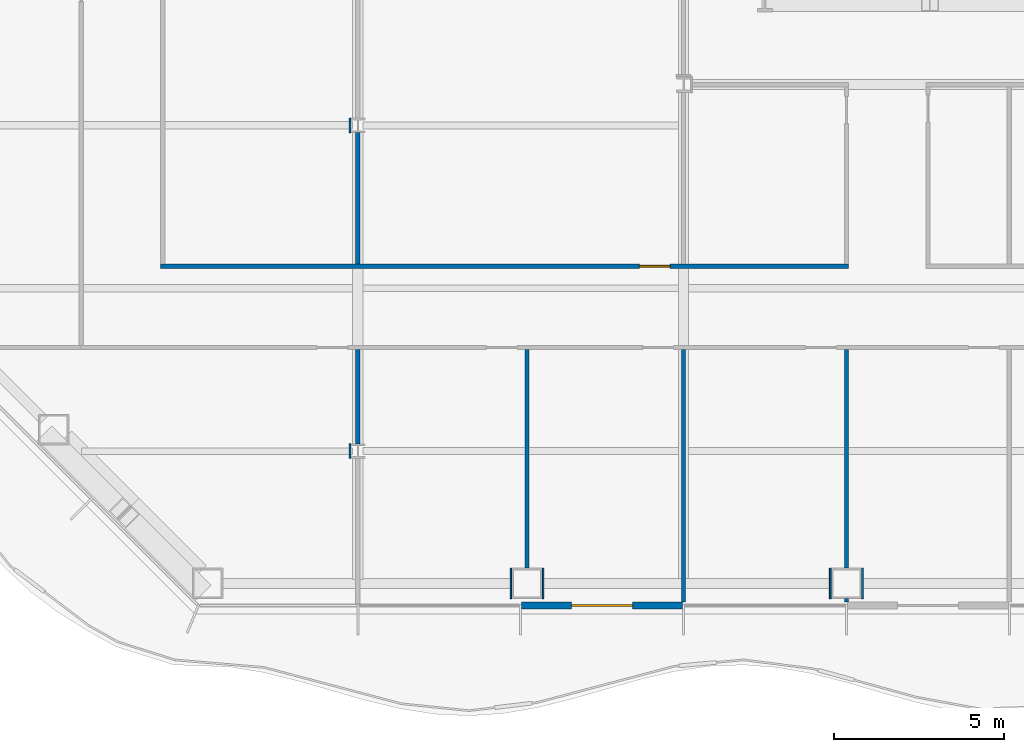
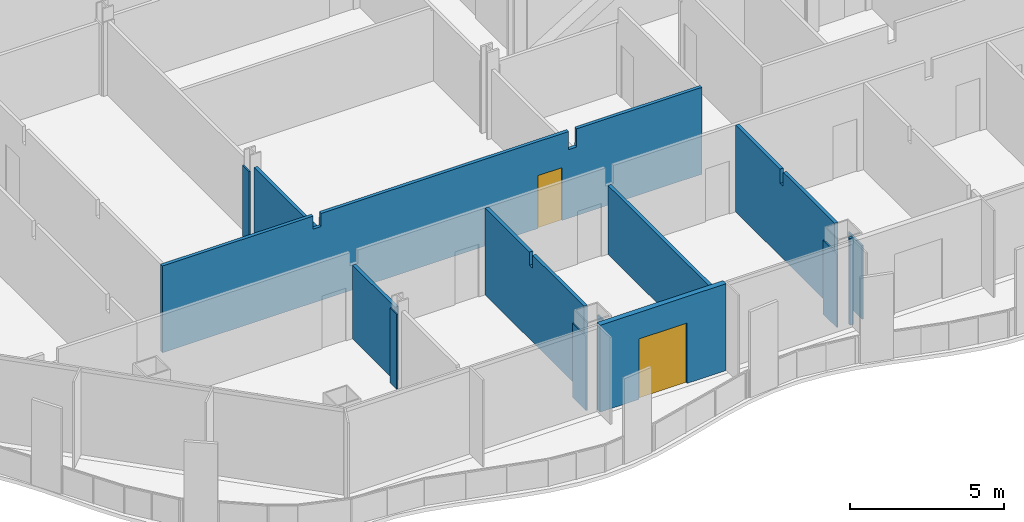
# One storey, part 6 of 18: 14 walls, 2 doors, 2 openings.
"""IFC4 building model written with IfcOpenShell, lengths in metres."""

from ifc_helpers import new_model, si_unit, direction, frame, frame_2d, origin, place, context, subcontext, project, spatial, polyline, rectangle, outline, extrude, material, layer, layer_set, type_object, element, fill, save


model = new_model("IFC4")

# Units and contexts
model_context = context("Model", 3, precision=1e-05, world=origin(), true_north=direction((0.0, 1.0)))
body_context = subcontext(model_context, "Body", "Model", "MODEL_VIEW")
ifc_project = project(units=[si_unit("LENGTHUNIT", "METRE"), si_unit("AREAUNIT", "SQUARE_METRE"), si_unit("VOLUMEUNIT", "CUBIC_METRE"), si_unit("PLANEANGLEUNIT", "RADIAN"), si_unit("MASSUNIT", "GRAM", prefix="KILO")], contexts=[model_context])

# Site, building, storey
site_placement = place(None, origin())
site = spatial("IfcSite", under=ifc_project, at=site_placement, CompositionType="ELEMENT")
building_placement = place(site_placement, origin())
building = spatial("IfcBuilding", under=site, at=building_placement, Name="Cairn Pilgrim Tower", CompositionType="ELEMENT")
storey_placement = place(building_placement, frame((0.0, 0.0, 65.39990234375)))
storey = spatial("IfcBuildingStorey", under=building, at=storey_placement, Name="L14", CompositionType="ELEMENT", Elevation=65.39990234375)

# Wall, opening, door
ifc_material_1 = material(Name="Bronze anodised aluminium insulated sandwich panel with mineral wool fill", Category="aluminium")
ifc_layer_1 = layer(ifc_material_1, 0.199951171875)
ifc_layer_set_1 = layer_set([ifc_layer_1], Name="BRONZE INFILL FRAME WALL 200")
wall_type_1 = type_object("IfcWallType", Name="BRONZE INFILL FRAME WALL 200", PredefinedType="NOTDEFINED", material=ifc_layer_set_1)
wall_1_placement = place(storey_placement, frame((-9.570068359375, -23.75, 0.0), z_axis=(0.0, 0.0, 1.0), x_axis=(1.0, 0.0, 0.0)))
wall_1 = element("IfcWall", 1, at=wall_1_placement, inside=storey, type_object=wall_type_1, Name="Bronze infill frame wall IW-S3", PredefinedType="NOTDEFINED", context=body_context, shape_type="SweptSolid", body=[
    extrude(rectangle(XDim=4.739990234375, YDim=0.199951171875, at=frame_2d((2.3701171875, 0.0))), origin(), (0.0, 0.0, 1.0), 3.4501953125),
])
opening_1_placement = place(wall_1_placement, frame((1.469970703125, 0.0, 0.0)))
opening_1 = element("IfcOpeningElement", 2, at=opening_1_placement, cuts=wall_1, Name="Opening 1403B", PredefinedType="OPENING", context=body_context, shape_type="SweptSolid", body=[
    extrude(rectangle(XDim=1.800048828125, YDim=2.39990234375, at=frame_2d((0.89990234375, 1.199951171875))), frame((0.0, 0.10986328125, 0.0), z_axis=(0.0, -1.0, 0.0), x_axis=(1.0, 0.0, 0.0)), (0.0, 0.0, 1.0), 0.219970703125),
])
ifc_material_2 = material(Name="Bronze anodised aluminium frame with tinted low-E glass", Category="aluminium")
door_type_1 = type_object("IfcDoorType", Name="BALCONY SLIDING DOOR 1800x2400", OperationType="DOUBLE_DOOR_SLIDING", PredefinedType="DOOR", material=ifc_material_2)
door_1_placement = place(opening_1_placement, origin())
door_1 = element("IfcDoor", 3, at=door_1_placement, inside=storey, type_object=door_type_1, Name="Balcony sliding door 1403B", OperationType="SINGLE_SWING_LEFT", OverallHeight=2.39990234375, OverallWidth=1.800048828125, PredefinedType="DOOR", context=body_context, shape_type="SweptSolid", body=[
    extrude(rectangle(XDim=1.800048828125, YDim=2.39990234375, at=frame_2d((0.89990234375, 1.199951171875))), frame((0.0, 0.02490234375, 0.0), z_axis=(0.0, -1.0, 0.0), x_axis=(1.0, 0.0, 0.0)), (0.0, 0.0, 1.0), 0.050048828125),
])
fill(opening_1, door_1)

# Walls
ifc_material_3 = material(Name="Gypsum partition")
ifc_layer_2 = layer(ifc_material_3, 0.125)
ifc_layer_set_2 = layer_set([ifc_layer_2], Name="PARTITION 125 DRYWALL EI 60")
wall_type_2 = type_object("IfcWallType", Name="PARTITION 125 DRYWALL EI 60", PredefinedType="PARTITIONING", material=ifc_layer_set_2)
wall_2_placement = place(storey_placement, frame((-4.800048828125, -23.64990234375, 0.0), z_axis=(0.0, 0.0, 1.0), x_axis=(0.0, 1.0, 0.0)))
element("IfcWall", 4, at=wall_2_placement, inside=storey, type_object=wall_type_2, Name="PARTITION W002", PredefinedType="PARTITIONING", context=body_context, shape_type="SweptSolid", body=[
    extrude(rectangle(XDim=7.4375, YDim=0.125, at=frame_2d((3.71875, 0.0))), origin(), (0.0, 0.0, 1.0), 2.72998046875),
])
wall_3_placement = place(storey_placement, frame((0.0, -23.64990234375, 0.0), z_axis=(0.0, 0.0, 1.0), x_axis=(0.0, 1.0, 0.0)))
element("IfcWall", 5, at=wall_3_placement, inside=storey, type_object=wall_type_2, Name="PARTITION W003", PredefinedType="PARTITIONING", context=body_context, shape_type="SweptSolid", body=[
    extrude(rectangle(XDim=0.099853515625, YDim=0.125, at=frame_2d((0.0498046875, 0.0))), origin(), (0.0, 0.0, 1.0), 3.4501953125),
])
wall_4_placement = place(storey_placement, frame((0.0, -22.64990234375, 0.0), z_axis=(0.0, 0.0, 1.0), x_axis=(0.0, 1.0, 0.0)))
element("IfcWall", 6, at=wall_4_placement, inside=storey, type_object=wall_type_2, Name="PARTITION W007", PredefinedType="PARTITIONING", context=body_context, shape_type="SweptSolid", body=[
    extrude(outline(polyline([(0.0, 0.0), (6.4375, 0.0), (6.4375, 3.4501953125), (3.554931640625, 3.4501953125), (3.552978515625, 2.880126953125), (3.344970703125, 2.880126953125), (3.343017578125, 3.4501953125), (0.0, 3.4501953125), (0.0, 0.0)])), frame((0.0, 0.0625, 0.0), z_axis=(0.0, -1.0, 0.0), x_axis=(1.0, 0.0, 0.0)), (0.0, 0.0, 1.0), 0.125),
])
wall_5_placement = place(storey_placement, frame((-9.4140625, -22.64990234375, 0.0), z_axis=(0.0, 0.0, 1.0), x_axis=(0.0, 1.0, 0.0)))
element("IfcWall", 7, at=wall_5_placement, inside=storey, type_object=wall_type_2, Name="PARTITION W008", PredefinedType="PARTITIONING", context=body_context, shape_type="SweptSolid", body=[
    extrude(outline(polyline([(0.0, 0.0), (6.4375, 0.0), (6.4375, 3.4501953125), (3.550048828125, 3.4501953125), (3.548095703125, 2.93017578125), (3.35009765625, 2.93017578125), (3.347900390625, 3.4501953125), (0.0, 3.4501953125), (0.0, 0.0)])), frame((0.0, 0.0625, 0.0), z_axis=(0.0, -1.0, 0.0), x_axis=(1.0, 0.0, 0.0)), (0.0, 0.0, 1.0), 0.125),
])
wall_6_placement = place(storey_placement, frame((-14.39990234375, -18.987548828125, 0.0), z_axis=(0.0, 0.0, 1.0), x_axis=(0.0, 1.0, 0.0)))
element("IfcWall", 8, at=wall_6_placement, inside=storey, type_object=wall_type_2, Name="PARTITION W011", PredefinedType="PARTITIONING", context=body_context, shape_type="SweptSolid", body=[
    extrude(rectangle(XDim=2.775146484375, YDim=0.125, at=frame_2d((1.3876953125, 0.0))), origin(), (0.0, 0.0, 1.0), 2.93017578125),
])

# Wall, opening, door
wall_7_placement = place(storey_placement, frame((-20.21240234375, -13.75, 0.0), z_axis=(0.0, 0.0, 1.0), x_axis=(1.0, 0.0, 0.0)))
wall_7 = element("IfcWall", 9, at=wall_7_placement, inside=storey, type_object=wall_type_2, Name="PARTITION W016", PredefinedType="PARTITIONING", context=body_context, shape_type="SweptSolid", body=[
    extrude(outline(polyline([(0.0, 0.0), (20.27490234375, 0.0), (20.27490234375, 3.4501953125), (15.5625, 3.4501953125), (15.560546875, 2.72998046875), (15.262451171875, 2.72998046875), (15.260498046875, 3.4501953125), (5.96240234375, 3.4501953125), (5.96044921875, 2.93017578125), (5.66259765625, 2.93017578125), (5.660400390625, 3.4501953125), (0.0, 3.4501953125), (0.0, 0.0)])), frame((0.0, 0.0625, 0.0), z_axis=(0.0, -1.0, 0.0), x_axis=(1.0, 0.0, 0.0)), (0.0, 0.0, 1.0), 0.125),
])
opening_2_placement = place(wall_7_placement, frame((14.112548828125, 0.0, 0.0)))
opening_2 = element("IfcOpeningElement", 10, at=opening_2_placement, cuts=wall_7, Name="Opening 1429", PredefinedType="OPENING", context=body_context, shape_type="SweptSolid", body=[
    extrude(rectangle(XDim=0.89990234375, YDim=2.10009765625, at=frame_2d((0.449951171875, 1.050048828125))), frame((0.0, 0.072509765625, 0.0), z_axis=(0.0, -1.0, 0.0), x_axis=(1.0, 0.0, 0.0)), (0.0, 0.0, 1.0), 0.14501953125),
])
ifc_material_4 = material(Name="Steel-faced fire door leaf", Category="steel")
door_type_2 = type_object("IfcDoorType", Name="FIRE DOOR 900x2100 FD30S", OperationType="NOTDEFINED", PredefinedType="DOOR", material=ifc_material_4)
door_2_placement = place(opening_2_placement, origin())
door_2 = element("IfcDoor", 11, at=door_2_placement, inside=storey, type_object=door_type_2, Name="DOOR 1429", OperationType="SINGLE_SWING_RIGHT", OverallHeight=2.10009765625, OverallWidth=0.89990234375, PredefinedType="DOOR", context=body_context, shape_type="SweptSolid", body=[
    extrude(rectangle(XDim=0.89990234375, YDim=2.10009765625, at=frame_2d((0.449951171875, 1.050048828125))), frame((0.0, 0.02490234375, 0.0), z_axis=(0.0, -1.0, 0.0), x_axis=(1.0, 0.0, 0.0)), (0.0, 0.0, 1.0), 0.050048828125),
])
fill(opening_2, door_2)

# Walls
wall_8_placement = place(storey_placement, frame((-14.39990234375, -13.6875, 0.0), z_axis=(0.0, 0.0, 1.0), x_axis=(0.0, 1.0, 0.0)))
element("IfcWall", 12, at=wall_8_placement, inside=storey, type_object=wall_type_2, Name="PARTITION W019", PredefinedType="PARTITIONING", context=body_context, shape_type="SweptSolid", body=[
    extrude(rectangle(XDim=3.875, YDim=0.125, at=frame_2d((1.9375, 0.0))), origin(), (0.0, 0.0, 1.0), 2.93017578125),
])
ifc_layer_3 = layer(ifc_material_3, 0.050048828125)
ifc_layer_set_3 = layer_set([ifc_layer_3], Name="PARTITION 50 DRYWALL EI 60")
wall_type_3 = type_object("IfcWallType", Name="PARTITION 50 DRYWALL EI 60", PredefinedType="PARTITIONING", material=ifc_layer_set_3)
wall_9_placement = place(storey_placement, frame((-14.62939453125, -19.41259765625, 0.0), z_axis=(0.0, 0.0, 1.0), x_axis=(0.0, 1.0, 0.0)))
element("IfcWall", 13, at=wall_9_placement, inside=storey, type_object=wall_type_3, Name="COLUMN CASING WC01", PredefinedType="PARTITIONING", context=body_context, shape_type="SweptSolid", body=[
    extrude(rectangle(XDim=0.425048828125, YDim=0.050048828125, at=frame_2d((0.21240234375, 0.0))), origin(), (0.0, 0.0, 1.0), 2.97998046875),
])
for number, where, z_axis, x_axis, name in (
    (14, (-0.47509765625, -23.550048828125, 0.0), (0.0, 0.0, 1.0), (0.0, 1.0, 0.0), "COLUMN CASING WC02"),
    (15, (0.47509765625, -23.550048828125, 0.0), (0.0, 0.0, 1.0), (0.0, 1.0, 0.0), "COLUMN CASING WC03"),
    (16, (-9.888671875, -23.550048828125, 0.0), (0.0, 0.0, 1.0), (0.0, 1.0, 0.0), "COLUMN CASING WC06"),
    (17, (-8.938720703125, -23.550048828125, 0.0), (0.0, 0.0, 1.0), (0.0, 1.0, 0.0), "COLUMN CASING WC07"),
):
    element("IfcWall", number, at=place(storey_placement, frame(where, z_axis=z_axis, x_axis=x_axis)), inside=storey, type_object=wall_type_3, Name=name, PredefinedType="PARTITIONING", context=body_context, shape_type="SweptSolid", body=[
        extrude(rectangle(XDim=0.900146484375, YDim=0.050048828125, at=frame_2d((0.4501953125, 0.0))), origin(), (0.0, 0.0, 1.0), 2.93017578125),
    ])
wall_10_placement = place(storey_placement, frame((-14.62939453125, -9.8125, 0.0), z_axis=(0.0, 0.0, 1.0), x_axis=(0.0, 1.0, 0.0)))
element("IfcWall", 18, at=wall_10_placement, inside=storey, type_object=wall_type_3, Name="COLUMN CASING WC12", PredefinedType="PARTITIONING", context=body_context, shape_type="SweptSolid", body=[
    extrude(rectangle(XDim=0.425048828125, YDim=0.050048828125, at=frame_2d((0.21240234375, 0.0))), origin(), (0.0, 0.0, 1.0), 2.830078125),
])

save(model, "model.ifc")
